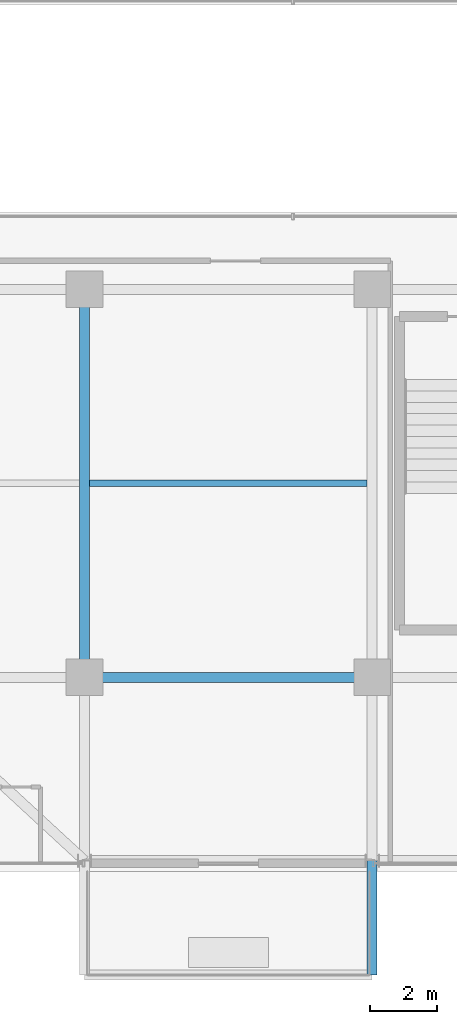
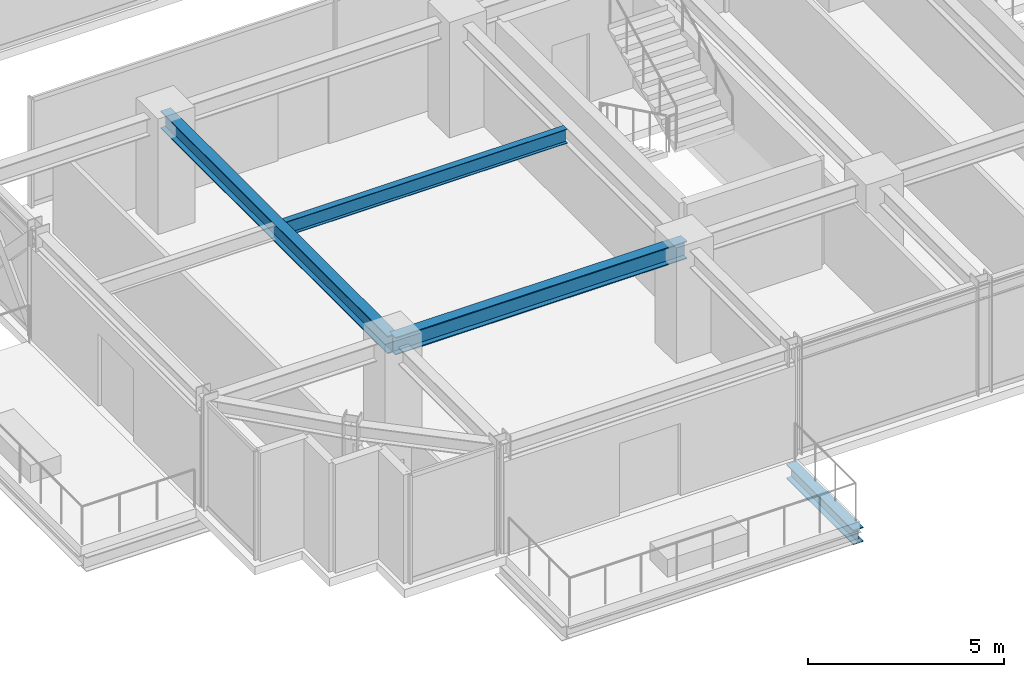
# One storey, part 4 of 36: 4 beams.
"""IFC4 building model written with IfcOpenShell, lengths in metres."""

from ifc_helpers import new_model, si_unit, direction, frame, origin, origin_2d, place, context, subcontext, project, spatial, i_section, extrude, source, transform, mapped, material, material_profile, profile_set, type_object, element, save


model = new_model("IFC4")

# Units and contexts
model_context = context("Model", 3, precision=1e-05, world=origin(), true_north=direction((0.0, 1.0)))
body_context = subcontext(model_context, "Body", "Model", "MODEL_VIEW")
ifc_project = project(units=[si_unit("LENGTHUNIT", "METRE"), si_unit("AREAUNIT", "SQUARE_METRE"), si_unit("VOLUMEUNIT", "CUBIC_METRE"), si_unit("PLANEANGLEUNIT", "RADIAN"), si_unit("MASSUNIT", "GRAM", prefix="KILO")], contexts=[model_context])

# Site, building, storey
site_placement = place(None, origin())
site = spatial("IfcSite", under=ifc_project, at=site_placement, CompositionType="ELEMENT")
building_placement = place(site_placement, origin())
building = spatial("IfcBuilding", under=site, at=building_placement, Name="Nahalor Promenade Grand Hotel", CompositionType="ELEMENT")
storey_placement = place(building_placement, frame((0.0, 0.0, 170.89990234375)))
storey = spatial("IfcBuildingStorey", under=building, at=storey_placement, Name="L43", CompositionType="ELEMENT", Elevation=170.89990234375)

# Beams
ifc_material = material(Name="Steel S355JR", Category="steel")
ifc_material_profile_1 = material_profile(ifc_material, i_section(OverallWidth=0.3, OverallDepth=0.45, WebThickness=0.014, FlangeThickness=0.026, at=origin_2d()), Name="HEB 450")
ifc_profile_set_1 = profile_set([ifc_material_profile_1], Name="Steel S355JR")
beam_type_1 = type_object("IfcBeamType", Name="Beam-Outrigger-HEB450", PredefinedType="BEAM", material=ifc_profile_set_1)
shared_shape_1 = source(origin(), body_context, "Body", "SweptSolid", [
    extrude(i_section(OverallWidth=0.3, OverallDepth=0.45, WebThickness=0.014, FlangeThickness=0.026, at=origin_2d()), origin(), (0.0, 0.0, 1.0), 3.419921875),
])
beam_1_placement = place(storey_placement, frame((-8.39990234375, -25.89990234375, -0.5048828125), z_axis=(0.0, 1.0, 0.0), x_axis=(-1.0, 0.0, 0.0)))
element("IfcBeam", 1, at=beam_1_placement, inside=storey, type_object=beam_type_1, Name="BM-L43-BC-01-2", PredefinedType="BEAM", context=body_context, shape_type="MappedRepresentation", body=[
    mapped(shared_shape_1, transform((0.0, 0.0, 0.0), scale=1.0)),
])
ifc_material_profile_2 = material_profile(ifc_material, i_section(OverallWidth=0.3, OverallDepth=0.55, WebThickness=0.015, FlangeThickness=0.029, at=origin_2d()), Name="HEB 550")
ifc_profile_set_2 = profile_set([ifc_material_profile_2], Name="Steel S355JR")
beam_type_2 = type_object("IfcBeamType", Name="Beam-Girder-HEB550", PredefinedType="BEAM", material=ifc_profile_set_2)
shared_shape_2 = source(origin(), body_context, "Body", "SweptSolid", [
    extrude(i_section(OverallWidth=0.3, OverallDepth=0.55, WebThickness=0.015, FlangeThickness=0.029, at=origin_2d()), origin(), (0.0, 0.0, 1.0), 8.60009765625),
])
beam_2_placement = place(storey_placement, frame((-17.0, -17.0, 3.114990234375), z_axis=(1.0, 0.0, 0.0), x_axis=(0.0, 1.0, 0.0)))
element("IfcBeam", 2, at=beam_2_placement, inside=storey, type_object=beam_type_2, Name="BM-L43-GX-0-1", PredefinedType="BEAM", context=body_context, shape_type="MappedRepresentation", body=[
    mapped(shared_shape_2, transform((0.0, 0.0, 0.0), scale=1.0)),
])
shared_shape_3 = source(origin(), body_context, "Body", "SweptSolid", [
    extrude(i_section(OverallWidth=0.3, OverallDepth=0.55, WebThickness=0.015, FlangeThickness=0.029, at=origin_2d()), origin(), (0.0, 0.0, 1.0), 11.60009765625),
])
beam_3_placement = place(storey_placement, frame((-17.0, -17.0, 3.114990234375), z_axis=(0.0, 1.0, 0.0), x_axis=(-1.0, 0.0, 0.0)))
element("IfcBeam", 3, at=beam_3_placement, inside=storey, type_object=beam_type_2, Name="BM-L43-GY-0-1", PredefinedType="BEAM", context=body_context, shape_type="MappedRepresentation", body=[
    mapped(shared_shape_3, transform((0.0, 0.0, 0.0), scale=1.0)),
])
ifc_material_profile_3 = material_profile(ifc_material, i_section(OverallWidth=0.19, OverallDepth=0.45, WebThickness=0.0094, FlangeThickness=0.0146, at=origin_2d()), Name="IPE 450")
ifc_profile_set_3 = profile_set([ifc_material_profile_3], Name="Steel S355JR")
beam_type_3 = type_object("IfcBeamType", Name="Beam-Joist-IPE450", PredefinedType="JOIST", material=ifc_profile_set_3)
shared_shape_4 = source(origin(), body_context, "Body", "SweptSolid", [
    extrude(i_section(OverallWidth=0.19, OverallDepth=0.45, WebThickness=0.0094, FlangeThickness=0.0146, at=origin_2d()), origin(), (0.0, 0.0, 1.0), 8.300048828125),
])
beam_4_placement = place(storey_placement, frame((-16.85009765625, -11.199951171875, 3.1650390625), z_axis=(1.0, 0.0, 0.0), x_axis=(0.0, 1.0, 0.0)))
element("IfcBeam", 4, at=beam_4_placement, inside=storey, type_object=beam_type_3, Name="BM-L43-JSW-0-1", PredefinedType="JOIST", context=body_context, shape_type="MappedRepresentation", body=[
    mapped(shared_shape_4, transform((0.0, 0.0, 0.0), scale=1.0)),
])

save(model, "model.ifc")
